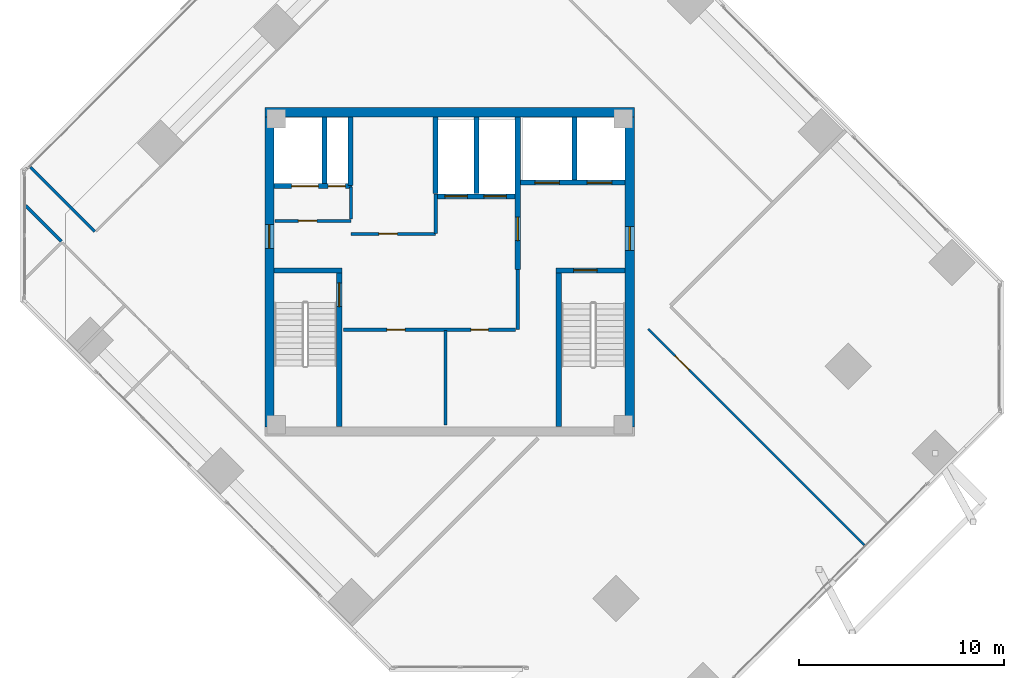
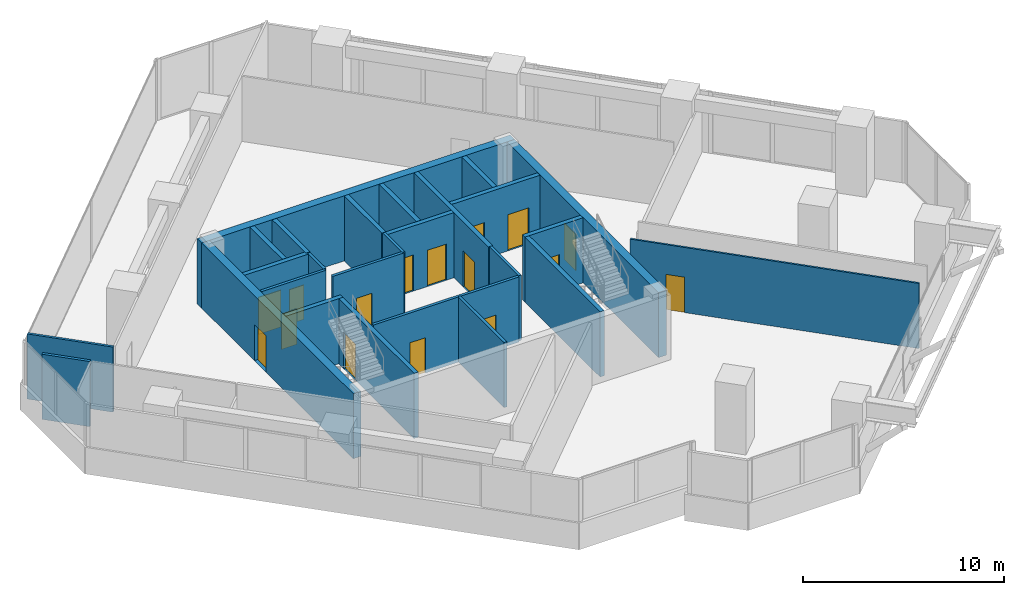
# One storey, part 13 of 17: 26 walls, 16 doors, 16 openings.
"""IFC4 building model written with IfcOpenShell, lengths in metres."""

from ifc_helpers import new_model, si_unit, direction, frame, frame_2d, origin, place, context, subcontext, project, spatial, rectangle, extrude, source, transform, mapped, material, layer, layer_set, type_object, element, fill, save


model = new_model("IFC4")

# Units and contexts
model_context = context("Model", 3, precision=1e-05, world=origin(), true_north=direction((0.0, 1.0)))
body_context = subcontext(model_context, "Body", "Model", "MODEL_VIEW")
ifc_project = project(units=[si_unit("LENGTHUNIT", "METRE"), si_unit("AREAUNIT", "SQUARE_METRE"), si_unit("VOLUMEUNIT", "CUBIC_METRE"), si_unit("PLANEANGLEUNIT", "RADIAN"), si_unit("MASSUNIT", "GRAM", prefix="KILO")], contexts=[model_context])

# Site, building, storey
site_placement = place(None, origin())
site = spatial("IfcSite", under=ifc_project, at=site_placement, CompositionType="ELEMENT")
building_placement = place(site_placement, origin())
building = spatial("IfcBuilding", under=site, at=building_placement, Name="Torre Montelarca", CompositionType="ELEMENT")
storey_placement = place(building_placement, frame((0.0, 0.0, 250.0)))
storey = spatial("IfcBuildingStorey", under=building, at=storey_placement, Name="L56", CompositionType="ELEMENT", Elevation=250.0)

# Wall, opening, door
ifc_material_1 = material(Name="Concrete C40/50", Category="concrete")
ifc_layer_1 = layer(ifc_material_1, 0.25, Name="Concrete C40/50", Category="concrete")
ifc_layer_set_1 = layer_set([ifc_layer_1], Name="Concrete C40/50")
wall_type_1 = type_object("IfcWallType", Name="CW-SHAFT-250", PredefinedType="SHEAR", material=ifc_layer_set_1)
wall_1_placement = place(storey_placement, frame((12.625, 24.4599609375, 0.0), z_axis=(0.0, 0.0, 1.0), x_axis=(0.0, 1.0, 0.0)))
wall_1 = element("IfcWall", 1, at=wall_1_placement, inside=storey, type_object=wall_type_1, Name="L56 Core Shear Wall SH-ST1-E", PredefinedType="SHEAR", context=body_context, shape_type="SweptSolid", body=[
    extrude(rectangle(XDim=7.489990234375, YDim=0.25, at=frame_2d((3.7451171875, 0.0))), origin(), (0.0, 0.0, 1.0), 3.9599609375),
])
opening_1_placement = place(wall_1_placement, frame((5.85009765625, 0.0, 0.0)))
opening_1 = element("IfcOpeningElement", 2, at=opening_1_placement, cuts=wall_1, Name="Opening FD-ST1", PredefinedType="OPENING", context=body_context, shape_type="SweptSolid", body=[
    extrude(rectangle(XDim=1.14990234375, YDim=2.199951171875, at=frame_2d((0.574951171875, 1.10009765625))), frame((0.0, 0.135009765625, 0.0), z_axis=(0.0, -1.0, 0.0), x_axis=(1.0, 0.0, 0.0)), (0.0, 0.0, 1.0), 0.27001953125),
])
ifc_material_2 = material(Name="Galvanized steel fire door", Category="steel")
door_type_1 = type_object("IfcDoorType", Name="DR-STAIR-115", OperationType="NOTDEFINED", PredefinedType="DOOR", material=ifc_material_2)
shared_shape_1 = source(origin(), body_context, "Body", "SweptSolid", [
    extrude(rectangle(XDim=1.14990234375, YDim=2.199951171875, at=frame_2d((0.574951171875, 1.10009765625))), frame((0.0, 0.02490234375, 0.0), z_axis=(0.0, -1.0, 0.0), x_axis=(1.0, 0.0, 0.0)), (0.0, 0.0, 1.0), 0.050048828125),
])
door_1_placement = place(opening_1_placement, origin())
door_1 = element("IfcDoor", 3, at=door_1_placement, inside=storey, type_object=door_type_1, Name="L56 Exit Stair ST1 Fire Door", OperationType="SINGLE_SWING_RIGHT", OverallHeight=2.199951171875, OverallWidth=1.14990234375, PredefinedType="DOOR", context=body_context, shape_type="MappedRepresentation", body=[
    mapped(shared_shape_1, transform((0.0, 0.0, 0.0), scale=1.0)),
])
fill(opening_1, door_1)

# Walls
wall_2_placement = place(storey_placement, frame((9.4599609375, 32.074951171875, 0.0), z_axis=(0.0, 0.0, 1.0), x_axis=(1.0, 0.0, 0.0)))
element("IfcWall", 4, at=wall_2_placement, inside=storey, type_object=wall_type_1, Name="L56 Core Shear Wall SH-ST1-N", PredefinedType="SHEAR", context=body_context, shape_type="SweptSolid", body=[
    extrude(rectangle(XDim=3.2900390625, YDim=0.25, at=frame_2d((1.64501953125, 0.0))), origin(), (0.0, 0.0, 1.0), 3.9599609375),
])
wall_3_placement = place(storey_placement, frame((23.31494140625, 24.4599609375, 0.0), z_axis=(0.0, 0.0, 1.0), x_axis=(0.0, 1.0, 0.0)))
element("IfcWall", 5, at=wall_3_placement, inside=storey, type_object=wall_type_1, Name="L56 Core Shear Wall SH-ST2-W", PredefinedType="SHEAR", context=body_context, shape_type="SweptSolid", body=[
    extrude(rectangle(XDim=7.489990234375, YDim=0.25, at=frame_2d((3.7451171875, 0.0))), origin(), (0.0, 0.0, 1.0), 3.9599609375),
])

# Wall, opening, door
wall_4_placement = place(storey_placement, frame((23.18994140625, 32.074951171875, 0.0), z_axis=(0.0, 0.0, 1.0), x_axis=(1.0, 0.0, 0.0)))
wall_4 = element("IfcWall", 6, at=wall_4_placement, inside=storey, type_object=wall_type_1, Name="L56 Core Shear Wall SH-ST2-N", PredefinedType="SHEAR", context=body_context, shape_type="SweptSolid", body=[
    extrude(rectangle(XDim=3.35009765625, YDim=0.25, at=frame_2d((1.675048828125, 0.0))), origin(), (0.0, 0.0, 1.0), 3.9599609375),
])
opening_2_placement = place(wall_4_placement, frame((0.85009765625, 0.0, 0.0)))
opening_2 = element("IfcOpeningElement", 7, at=opening_2_placement, cuts=wall_4, Name="Opening FD-ST1", PredefinedType="OPENING", context=body_context, shape_type="SweptSolid", body=[
    extrude(rectangle(XDim=1.14990234375, YDim=2.199951171875, at=frame_2d((0.574951171875, 1.10009765625))), frame((0.0, 0.135009765625, 0.0), z_axis=(0.0, -1.0, 0.0), x_axis=(1.0, 0.0, 0.0)), (0.0, 0.0, 1.0), 0.27001953125),
])
door_2_placement = place(opening_2_placement, origin())
door_2 = element("IfcDoor", 8, at=door_2_placement, inside=storey, type_object=door_type_1, Name="L56 Exit Stair ST2 Fire Door", OperationType="SINGLE_SWING_RIGHT", OverallHeight=2.199951171875, OverallWidth=1.14990234375, PredefinedType="DOOR", context=body_context, shape_type="MappedRepresentation", body=[
    mapped(shared_shape_1, transform((0.0, 0.0, 0.0), scale=1.0)),
])
fill(opening_2, door_2)

wall_5_placement = place(storey_placement, frame((21.320068359375, 32.1201171875, 0.0), z_axis=(0.0, 0.0, 1.0), x_axis=(0.0, 1.0, 0.0)))
wall_5 = element("IfcWall", 9, at=wall_5_placement, inside=storey, type_object=wall_type_1, Name="L56 Core Shear Wall SH-FFL-W", PredefinedType="SHEAR", context=body_context, shape_type="SweptSolid", body=[
    extrude(rectangle(XDim=7.419921875, YDim=0.25, at=frame_2d((3.7099609375, 0.0))), origin(), (0.0, 0.0, 1.0), 3.9599609375),
])
opening_3_placement = place(wall_5_placement, frame((1.39990234375, 0.0, 0.0)))
opening_3 = element("IfcOpeningElement", 10, at=opening_3_placement, cuts=wall_5, Name="Opening FD-LB1", PredefinedType="OPENING", context=body_context, shape_type="SweptSolid", body=[
    extrude(rectangle(XDim=1.14990234375, YDim=2.199951171875, at=frame_2d((0.574951171875, 1.10009765625))), frame((0.0, 0.135009765625, 0.0), z_axis=(0.0, -1.0, 0.0), x_axis=(1.0, 0.0, 0.0)), (0.0, 0.0, 1.0), 0.27001953125),
])
ifc_material_3 = material(Name="Acoustic timber-veneered fire door", Category="wood")
door_type_2 = type_object("IfcDoorType", Name="DR-LOBBY-115", OperationType="NOTDEFINED", PredefinedType="DOOR", material=ifc_material_3)
shared_shape_2 = source(origin(), body_context, "Body", "SweptSolid", [
    extrude(rectangle(XDim=1.14990234375, YDim=2.199951171875, at=frame_2d((0.574951171875, 1.10009765625))), frame((0.0, 0.02490234375, 0.0), z_axis=(0.0, -1.0, 0.0), x_axis=(1.0, 0.0, 0.0)), (0.0, 0.0, 1.0), 0.050048828125),
])
door_3_placement = place(opening_3_placement, origin())
door_3 = element("IfcDoor", 11, at=door_3_placement, inside=storey, type_object=door_type_2, Name="L56 Lift Lobby to Firefighting Lobby Smoke Door", OperationType="SINGLE_SWING_LEFT", OverallHeight=2.199951171875, OverallWidth=1.14990234375, PredefinedType="DOOR", context=body_context, shape_type="MappedRepresentation", body=[
    mapped(shared_shape_2, transform((0.0, 0.0, 0.0), scale=1.0)),
])
fill(opening_3, door_3)

# Wall, openings, doors
wall_6_placement = place(storey_placement, frame((9.4599609375, 36.179931640625, 0.0), z_axis=(0.0, 0.0, 1.0), x_axis=(1.0, 0.0, 0.0)))
wall_6 = element("IfcWall", 12, at=wall_6_placement, inside=storey, type_object=wall_type_1, Name="L56 Core Shear Wall SH-SV1-S", PredefinedType="SHEAR", context=body_context, shape_type="SweptSolid", body=[
    extrude(rectangle(XDim=3.7900390625, YDim=0.25, at=frame_2d((1.89501953125, 0.0))), origin(), (0.0, 0.0, 1.0), 3.9599609375),
])
opening_4_placement = place(wall_6_placement, frame((2.6201171875, 0.0, 0.0)))
opening_4 = element("IfcOpeningElement", 13, at=opening_4_placement, cuts=wall_6, Name="Opening FD-085", PredefinedType="OPENING", context=body_context, shape_type="SweptSolid", body=[
    extrude(rectangle(XDim=0.85009765625, YDim=2.10009765625, at=frame_2d((0.425048828125, 1.050048828125))), frame((0.0, 0.135009765625, 0.0), z_axis=(0.0, -1.0, 0.0), x_axis=(1.0, 0.0, 0.0)), (0.0, 0.0, 1.0), 0.27001953125),
])
opening_5_placement = place(wall_6_placement, frame((0.85009765625, 0.0, 0.0)))
opening_5 = element("IfcOpeningElement", 14, at=opening_5_placement, cuts=wall_6, Name="Opening LD-130", PredefinedType="OPENING", context=body_context, shape_type="SweptSolid", body=[
    extrude(rectangle(XDim=1.300048828125, YDim=2.25, at=frame_2d((0.64990234375, 1.125))), frame((0.0, 0.135009765625, 0.0), z_axis=(0.0, -1.0, 0.0), x_axis=(1.0, 0.0, 0.0)), (0.0, 0.0, 1.0), 0.27001953125),
])
ifc_material_4 = material(Name="Steel riser access fire door", Category="steel")
door_type_3 = type_object("IfcDoorType", Name="DR-RISER-085", OperationType="NOTDEFINED", PredefinedType="DOOR", material=ifc_material_4)
shared_shape_3 = source(origin(), body_context, "Body", "SweptSolid", [
    extrude(rectangle(XDim=0.85009765625, YDim=2.10009765625, at=frame_2d((0.425048828125, 1.050048828125))), frame((0.0, 0.02490234375, 0.0), z_axis=(0.0, -1.0, 0.0), x_axis=(1.0, 0.0, 0.0)), (0.0, 0.0, 1.0), 0.050048828125),
])
door_4_placement = place(opening_4_placement, origin())
door_4 = element("IfcDoor", 15, at=door_4_placement, inside=storey, type_object=door_type_3, Name="L56 Electrical Riser Shaft Access Door", OperationType="SINGLE_SWING_RIGHT", OverallHeight=2.10009765625, OverallWidth=0.85009765625, PredefinedType="DOOR", context=body_context, shape_type="MappedRepresentation", body=[
    mapped(shared_shape_3, transform((0.0, 0.0, 0.0), scale=1.0)),
])
fill(opening_4, door_4)
ifc_material_5 = material(Name="Brushed stainless steel AISI 316", Category="steel")
door_type_4 = type_object("IfcDoorType", Name="DR-LIFT-130", OperationType="SLIDING_TO_LEFT", PredefinedType="DOOR", material=ifc_material_5)
shared_shape_4 = source(origin(), body_context, "Body", "SweptSolid", [
    extrude(rectangle(XDim=1.300048828125, YDim=2.25, at=frame_2d((0.64990234375, 1.125))), frame((0.0, 0.02490234375, 0.0), z_axis=(0.0, -1.0, 0.0), x_axis=(1.0, 0.0, 0.0)), (0.0, 0.0, 1.0), 0.050048828125),
])
door_5_placement = place(opening_5_placement, origin())
door_5 = element("IfcDoor", 16, at=door_5_placement, inside=storey, type_object=door_type_4, Name="L56 Lift Landing Sliding Door SV-1", OperationType="SLIDING_TO_LEFT", OverallHeight=2.25, OverallWidth=1.300048828125, PredefinedType="DOOR", context=body_context, shape_type="MappedRepresentation", body=[
    mapped(shared_shape_4, transform((0.0, 0.0, 0.0), scale=1.0)),
])
fill(opening_5, door_5)

# Wall
wall_7_placement = place(storey_placement, frame((11.89990234375, 36.31005859375, 0.0), z_axis=(0.0, 0.0, 1.0), x_axis=(0.0, 1.0, 0.0)))
element("IfcWall", 17, at=wall_7_placement, inside=storey, type_object=wall_type_1, Name="L56 Core Shear Wall SH-SV1-E", PredefinedType="SHEAR", context=body_context, shape_type="SweptSolid", body=[
    extrude(rectangle(XDim=3.22998046875, YDim=0.25, at=frame_2d((1.614990234375, 0.0))), origin(), (0.0, 0.0, 1.0), 3.9599609375),
])

# Wall, openings, doors
wall_8_placement = place(storey_placement, frame((21.449951171875, 36.35009765625, 0.0), z_axis=(0.0, 0.0, 1.0), x_axis=(1.0, 0.0, 0.0)))
wall_8 = element("IfcWall", 18, at=wall_8_placement, inside=storey, type_object=wall_type_1, Name="L56 Core Shear Wall SH-FF-S", PredefinedType="SHEAR", context=body_context, shape_type="SweptSolid", body=[
    extrude(rectangle(XDim=5.090087890625, YDim=0.25, at=frame_2d((2.544921875, 0.0))), origin(), (0.0, 0.0, 1.0), 3.9599609375),
])
opening_6_placement = place(wall_8_placement, frame((0.699951171875, 0.0, 0.0)))
opening_6 = element("IfcOpeningElement", 19, at=opening_6_placement, cuts=wall_8, Name="Opening LD-120", PredefinedType="OPENING", context=body_context, shape_type="SweptSolid", body=[
    extrude(rectangle(XDim=1.199951171875, YDim=2.199951171875, at=frame_2d((0.60009765625, 1.10009765625))), frame((0.0, 0.135009765625, 0.0), z_axis=(0.0, -1.0, 0.0), x_axis=(1.0, 0.0, 0.0)), (0.0, 0.0, 1.0), 0.27001953125),
])
opening_7_placement = place(wall_8_placement, frame((3.25, 0.0, 0.0)))
opening_7 = element("IfcOpeningElement", 20, at=opening_7_placement, cuts=wall_8, Name="Opening LD-120", PredefinedType="OPENING", context=body_context, shape_type="SweptSolid", body=[
    extrude(rectangle(XDim=1.199951171875, YDim=2.199951171875, at=frame_2d((0.60009765625, 1.10009765625))), frame((0.0, 0.135009765625, 0.0), z_axis=(0.0, -1.0, 0.0), x_axis=(1.0, 0.0, 0.0)), (0.0, 0.0, 1.0), 0.27001953125),
])
door_type_5 = type_object("IfcDoorType", Name="DR-LIFT-120", OperationType="SLIDING_TO_RIGHT", PredefinedType="DOOR", material=ifc_material_5)
shared_shape_5 = source(origin(), body_context, "Body", "SweptSolid", [
    extrude(rectangle(XDim=1.199951171875, YDim=2.199951171875, at=frame_2d((0.60009765625, 1.10009765625))), frame((0.0, 0.02490234375, 0.0), z_axis=(0.0, -1.0, 0.0), x_axis=(1.0, 0.0, 0.0)), (0.0, 0.0, 1.0), 0.050048828125),
])
door_6_placement = place(opening_6_placement, origin())
door_6 = element("IfcDoor", 21, at=door_6_placement, inside=storey, type_object=door_type_5, Name="L56 Lift Landing Sliding Door FF-1", OperationType="SLIDING_TO_LEFT", OverallHeight=2.199951171875, OverallWidth=1.199951171875, PredefinedType="DOOR", context=body_context, shape_type="MappedRepresentation", body=[
    mapped(shared_shape_5, transform((0.0, 0.0, 0.0), scale=1.0)),
])
fill(opening_6, door_6)
door_7_placement = place(opening_7_placement, origin())
door_7 = element("IfcDoor", 22, at=door_7_placement, inside=storey, type_object=door_type_5, Name="L56 Lift Landing Sliding Door FF-2", OperationType="SLIDING_TO_RIGHT", OverallHeight=2.199951171875, OverallWidth=1.199951171875, PredefinedType="DOOR", context=body_context, shape_type="MappedRepresentation", body=[
    mapped(shared_shape_5, transform((0.0, 0.0, 0.0), scale=1.0)),
])
fill(opening_7, door_7)

# Walls
wall_9_placement = place(storey_placement, frame((24.080078125, 36.47998046875, 0.0), z_axis=(0.0, 0.0, 1.0), x_axis=(0.0, 1.0, 0.0)))
element("IfcWall", 23, at=wall_9_placement, inside=storey, type_object=wall_type_1, Name="L56 Core Shear Wall SH-FF-M", PredefinedType="SHEAR", context=body_context, shape_type="SweptSolid", body=[
    extrude(rectangle(XDim=3.06005859375, YDim=0.25, at=frame_2d((1.530029296875, 0.0))), origin(), (0.0, 0.0, 1.0), 3.9599609375),
])
wall_10_placement = place(storey_placement, frame((13.179931640625, 36.199951171875, 0.0), z_axis=(0.0, 0.0, 1.0), x_axis=(0.0, 1.0, 0.0)))
element("IfcWall", 24, at=wall_10_placement, inside=storey, type_object=wall_type_1, Name="L56 Core Shear Wall SH-RSR1-E", PredefinedType="SHEAR", context=body_context, shape_type="SweptSolid", body=[
    extrude(rectangle(XDim=3.340087890625, YDim=0.25, at=frame_2d((1.669921875, 0.0))), origin(), (0.0, 0.0, 1.0), 3.9599609375),
])

# Wall, openings, doors
wall_11_placement = place(storey_placement, frame((17.320068359375, 35.679931640625, 0.0), z_axis=(0.0, 0.0, 1.0), x_axis=(1.0, 0.0, 0.0)))
wall_11 = element("IfcWall", 25, at=wall_11_placement, inside=storey, type_object=wall_type_1, Name="L56 Core Shear Wall SH-PLH-S", PredefinedType="SHEAR", context=body_context, shape_type="SweptSolid", body=[
    extrude(rectangle(XDim=3.869873046875, YDim=0.25, at=frame_2d((1.93505859375, 0.0))), origin(), (0.0, 0.0, 1.0), 3.9599609375),
])
opening_8_placement = place(wall_11_placement, frame((0.449951171875, 0.0, 0.0)))
opening_8 = element("IfcOpeningElement", 26, at=opening_8_placement, cuts=wall_11, Name="Opening LD-110", PredefinedType="OPENING", context=body_context, shape_type="SweptSolid", body=[
    extrude(rectangle(XDim=1.10009765625, YDim=2.199951171875, at=frame_2d((0.550048828125, 1.10009765625))), frame((0.0, 0.135009765625, 0.0), z_axis=(0.0, -1.0, 0.0), x_axis=(1.0, 0.0, 0.0)), (0.0, 0.0, 1.0), 0.27001953125),
])
opening_9_placement = place(wall_11_placement, frame((2.35009765625, 0.0, 0.0)))
opening_9 = element("IfcOpeningElement", 27, at=opening_9_placement, cuts=wall_11, Name="Opening LD-110", PredefinedType="OPENING", context=body_context, shape_type="SweptSolid", body=[
    extrude(rectangle(XDim=1.10009765625, YDim=2.199951171875, at=frame_2d((0.550048828125, 1.10009765625))), frame((0.0, 0.135009765625, 0.0), z_axis=(0.0, -1.0, 0.0), x_axis=(1.0, 0.0, 0.0)), (0.0, 0.0, 1.0), 0.27001953125),
])
door_type_6 = type_object("IfcDoorType", Name="DR-LIFT-110", OperationType="SLIDING_TO_LEFT", PredefinedType="DOOR", material=ifc_material_5)
shared_shape_6 = source(origin(), body_context, "Body", "SweptSolid", [
    extrude(rectangle(XDim=1.10009765625, YDim=2.199951171875, at=frame_2d((0.550048828125, 1.10009765625))), frame((0.0, 0.02490234375, 0.0), z_axis=(0.0, -1.0, 0.0), x_axis=(1.0, 0.0, 0.0)), (0.0, 0.0, 1.0), 0.050048828125),
])
door_8_placement = place(opening_8_placement, origin())
door_8 = element("IfcDoor", 28, at=door_8_placement, inside=storey, type_object=door_type_6, Name="L56 Lift Landing Sliding Door PL-H1", OperationType="SLIDING_TO_LEFT", OverallHeight=2.199951171875, OverallWidth=1.10009765625, PredefinedType="DOOR", context=body_context, shape_type="MappedRepresentation", body=[
    mapped(shared_shape_6, transform((0.0, 0.0, 0.0), scale=1.0)),
])
fill(opening_8, door_8)
door_9_placement = place(opening_9_placement, origin())
door_9 = element("IfcDoor", 29, at=door_9_placement, inside=storey, type_object=door_type_6, Name="L56 Lift Landing Sliding Door PL-H2", OperationType="SLIDING_TO_RIGHT", OverallHeight=2.199951171875, OverallWidth=1.10009765625, PredefinedType="DOOR", context=body_context, shape_type="MappedRepresentation", body=[
    mapped(shared_shape_6, transform((0.0, 0.0, 0.0), scale=1.0)),
])
fill(opening_9, door_9)

# Walls
for number, where, z_axis, x_axis, name in (
    (30, (17.320068359375, 35.81005859375, 0.0), (0.0, 0.0, 1.0), (0.0, 1.0, 0.0), "L56 Core Shear Wall SH-PLH-W"),
    (31, (19.320068359375, 35.81005859375, 0.0), (0.0, 0.0, 1.0), (0.0, 1.0, 0.0), "L56 Core Shear Wall SH-PLH-M"),
):
    element("IfcWall", number, at=place(storey_placement, frame(where, z_axis=z_axis, x_axis=x_axis)), inside=storey, type_object=wall_type_1, Name=name, PredefinedType="SHEAR", context=body_context, shape_type="SweptSolid", body=[
        extrude(rectangle(XDim=3.72998046875, YDim=0.25, at=frame_2d((1.864990234375, 0.0))), origin(), (0.0, 0.0, 1.0), 3.9599609375),
    ])

# Wall, opening, door
ifc_material_6 = material(Name="Concrete C55/67", Category="concrete")
ifc_layer_2 = layer(ifc_material_6, 0.449951171875, Name="Concrete C55/67", Category="concrete")
ifc_layer_set_2 = layer_set([ifc_layer_2], Name="Concrete C55/67")
wall_type_2 = type_object("IfcWallType", Name="CW-SHEAR-450", PredefinedType="SHEAR", material=ifc_layer_set_2)
wall_12_placement = place(storey_placement, frame((9.22509765625, 24.449951171875, 0.0), z_axis=(0.0, 0.0, 1.0), x_axis=(0.0, 1.0, 0.0)))
wall_12 = element("IfcWall", 32, at=wall_12_placement, inside=storey, type_object=wall_type_2, Name="L56 Core Shear Wall CW-W", PredefinedType="SHEAR", context=body_context, shape_type="SweptSolid", body=[
    extrude(rectangle(XDim=15.10009765625, YDim=0.449951171875, at=frame_2d((7.550048828125, 0.0))), origin(), (0.0, 0.0, 1.0), 3.9599609375),
])
opening_10_placement = place(wall_12_placement, frame((8.699951171875, 0.0, 0.0)))
opening_10 = element("IfcOpeningElement", 33, at=opening_10_placement, cuts=wall_12, Name="Opening FD-LB1", PredefinedType="OPENING", context=body_context, shape_type="SweptSolid", body=[
    extrude(rectangle(XDim=1.14990234375, YDim=2.199951171875, at=frame_2d((0.574951171875, 1.10009765625))), frame((0.0, 0.23486328125, 0.0), z_axis=(0.0, -1.0, 0.0), x_axis=(1.0, 0.0, 0.0)), (0.0, 0.0, 1.0), 0.469970703125),
])
door_10_placement = place(opening_10_placement, origin())
door_10 = element("IfcDoor", 34, at=door_10_placement, inside=storey, type_object=door_type_2, Name="L56 Passenger Lift Lobby West Corridor Fire Door", OperationType="SINGLE_SWING_RIGHT", OverallHeight=2.199951171875, OverallWidth=1.14990234375, PredefinedType="DOOR", context=body_context, shape_type="MappedRepresentation", body=[
    mapped(shared_shape_2, transform((0.0, 0.0, 0.0), scale=1.0)),
])
fill(opening_10, door_10)

wall_13_placement = place(storey_placement, frame((26.77490234375, 24.449951171875, 0.0), z_axis=(0.0, 0.0, 1.0), x_axis=(0.0, 1.0, 0.0)))
wall_13 = element("IfcWall", 35, at=wall_13_placement, inside=storey, type_object=wall_type_2, Name="L56 Core Shear Wall CW-E", PredefinedType="SHEAR", context=body_context, shape_type="SweptSolid", body=[
    extrude(rectangle(XDim=15.10009765625, YDim=0.449951171875, at=frame_2d((7.550048828125, 0.0))), origin(), (0.0, 0.0, 1.0), 3.9599609375),
])
opening_11_placement = place(wall_13_placement, frame((8.60009765625, 0.0, 0.0)))
opening_11 = element("IfcOpeningElement", 36, at=opening_11_placement, cuts=wall_13, Name="Opening FD-LB1", PredefinedType="OPENING", context=body_context, shape_type="SweptSolid", body=[
    extrude(rectangle(XDim=1.14990234375, YDim=2.199951171875, at=frame_2d((0.574951171875, 1.10009765625))), frame((0.0, 0.23486328125, 0.0), z_axis=(0.0, -1.0, 0.0), x_axis=(1.0, 0.0, 0.0)), (0.0, 0.0, 1.0), 0.469970703125),
])
door_11_placement = place(opening_11_placement, origin())
door_11 = element("IfcDoor", 37, at=door_11_placement, inside=storey, type_object=door_type_2, Name="L56 Firefighting Lift Lobby Corridor Fire Door", OperationType="SINGLE_SWING_RIGHT", OverallHeight=2.199951171875, OverallWidth=1.14990234375, PredefinedType="DOOR", context=body_context, shape_type="MappedRepresentation", body=[
    mapped(shared_shape_2, transform((0.0, 0.0, 0.0), scale=1.0)),
])
fill(opening_11, door_11)

# Wall
wall_14_placement = place(storey_placement, frame((9.0, 39.77490234375, 0.0), z_axis=(0.0, 0.0, 1.0), x_axis=(1.0, 0.0, 0.0)))
element("IfcWall", 38, at=wall_14_placement, inside=storey, type_object=wall_type_2, Name="L56 Core Shear Wall CW-N1", PredefinedType="SHEAR", context=body_context, shape_type="SweptSolid", body=[
    extrude(rectangle(XDim=18.0, YDim=0.449951171875, at=frame_2d((9.0, 0.0))), origin(), (0.0, 0.0, 1.0), 3.9599609375),
])

# Wall, opening, door
ifc_material_7 = material(Name="Gypsum plasterboard on steel stud", Category="steel")
ifc_layer_3 = layer(ifc_material_7, 0.159912109375, Name="Gypsum plasterboard on steel stud", Category="steel")
ifc_layer_set_3 = layer_set([ifc_layer_3], Name="Gypsum plasterboard on steel stud")
wall_type_3 = type_object("IfcWallType", Name="PW-FIRE-160", PredefinedType="PARTITIONING", material=ifc_layer_set_3)
wall_15_placement = place(storey_placement, frame((9.489990234375, 34.47998046875, 0.0), z_axis=(0.0, 0.0, 1.0), x_axis=(1.0, 0.0, 0.0)))
wall_15 = element("IfcWall", 39, at=wall_15_placement, inside=storey, type_object=wall_type_3, Name="L56 Interior Partition CW-L56-SVS", PredefinedType="PARTITIONING", context=body_context, shape_type="SweptSolid", body=[
    extrude(rectangle(XDim=3.699951171875, YDim=0.159912109375, at=frame_2d((1.85009765625, 0.0))), origin(), (0.0, 0.0, 1.0), 3.9599609375),
])
opening_12_placement = place(wall_15_placement, frame((1.14990234375, 0.0, 0.0)))
opening_12 = element("IfcOpeningElement", 40, at=opening_12_placement, cuts=wall_15, Name="Opening FD-090", PredefinedType="OPENING", context=body_context, shape_type="SweptSolid", body=[
    extrude(rectangle(XDim=0.89990234375, YDim=2.14990234375, at=frame_2d((0.449951171875, 1.074951171875))), frame((0.0, 0.08984375, 0.0), z_axis=(0.0, -1.0, 0.0), x_axis=(1.0, 0.0, 0.0)), (0.0, 0.0, 1.0), 0.179931640625),
])
ifc_material_8 = material(Name="Steel service fire door", Category="steel")
door_type_7 = type_object("IfcDoorType", Name="DR-FIRE-090", OperationType="NOTDEFINED", PredefinedType="DOOR", material=ifc_material_8)
shared_shape_7 = source(origin(), body_context, "Body", "SweptSolid", [
    extrude(rectangle(XDim=0.89990234375, YDim=2.14990234375, at=frame_2d((0.449951171875, 1.074951171875))), frame((0.0, 0.02490234375, 0.0), z_axis=(0.0, -1.0, 0.0), x_axis=(1.0, 0.0, 0.0)), (0.0, 0.0, 1.0), 0.050048828125),
])
door_12_placement = place(opening_12_placement, origin())
door_12 = element("IfcDoor", 41, at=door_12_placement, inside=storey, type_object=door_type_7, Name="L56 Interior Door 01", OperationType="SINGLE_SWING_RIGHT", OverallHeight=2.14990234375, OverallWidth=0.89990234375, PredefinedType="DOOR", context=body_context, shape_type="MappedRepresentation", body=[
    mapped(shared_shape_7, transform((0.0, 0.0, 0.0), scale=1.0)),
])
fill(opening_12, door_12)

# Wall
wall_16_placement = place(storey_placement, frame((13.199951171875, 34.570068359375, 0.0), z_axis=(0.0, 0.0, 1.0), x_axis=(0.0, 1.0, 0.0)))
element("IfcWall", 42, at=wall_16_placement, inside=storey, type_object=wall_type_3, Name="L56 Interior Partition CW-L56-SVE", PredefinedType="PARTITIONING", context=body_context, shape_type="SweptSolid", body=[
    extrude(rectangle(XDim=1.56982421875, YDim=0.159912109375, at=frame_2d((0.784912109375, 0.0))), origin(), (0.0, 0.0, 1.0), 3.9599609375),
])

# Wall, opening, door
wall_17_placement = place(storey_placement, frame((13.2099609375, 33.85009765625, 0.0), z_axis=(0.0, 0.0, 1.0), x_axis=(1.0, 0.0, 0.0)))
wall_17 = element("IfcWall", 43, at=wall_17_placement, inside=storey, type_object=wall_type_3, Name="L56 Interior Partition CW-L56-FRMS", PredefinedType="PARTITIONING", context=body_context, shape_type="SweptSolid", body=[
    extrude(rectangle(XDim=4.10009765625, YDim=0.159912109375, at=frame_2d((2.050048828125, 0.0))), origin(), (0.0, 0.0, 1.0), 3.9599609375),
])
opening_13_placement = place(wall_17_placement, frame((1.35009765625, 0.0, 0.0)))
opening_13 = element("IfcOpeningElement", 44, at=opening_13_placement, cuts=wall_17, Name="Opening FD-090", PredefinedType="OPENING", context=body_context, shape_type="SweptSolid", body=[
    extrude(rectangle(XDim=0.89990234375, YDim=2.14990234375, at=frame_2d((0.449951171875, 1.074951171875))), frame((0.0, 0.08984375, 0.0), z_axis=(0.0, -1.0, 0.0), x_axis=(1.0, 0.0, 0.0)), (0.0, 0.0, 1.0), 0.179931640625),
])
door_13_placement = place(opening_13_placement, origin())
door_13 = element("IfcDoor", 45, at=door_13_placement, inside=storey, type_object=door_type_7, Name="L56 Interior Door 02", OperationType="SINGLE_SWING_LEFT", OverallHeight=2.14990234375, OverallWidth=0.89990234375, PredefinedType="DOOR", context=body_context, shape_type="MappedRepresentation", body=[
    mapped(shared_shape_7, transform((0.0, 0.0, 0.0), scale=1.0)),
])
fill(opening_13, door_13)

# Wall
wall_18_placement = place(storey_placement, frame((17.320068359375, 33.860107421875, 0.0), z_axis=(0.0, 0.0, 1.0), x_axis=(0.0, 1.0, 0.0)))
element("IfcWall", 46, at=wall_18_placement, inside=storey, type_object=wall_type_3, Name="L56 Interior Partition CW-L56-FRME", PredefinedType="PARTITIONING", context=body_context, shape_type="SweptSolid", body=[
    extrude(rectangle(XDim=1.929931640625, YDim=0.159912109375, at=frame_2d((0.96484375, 0.0))), origin(), (0.0, 0.0, 1.0), 3.9599609375),
])

# Wall, openings, doors
wall_19_placement = place(storey_placement, frame((12.840087890625, 29.179931640625, 0.0), z_axis=(0.0, 0.0, 1.0), x_axis=(1.0, 0.0, 0.0)))
wall_19 = element("IfcWall", 47, at=wall_19_placement, inside=storey, type_object=wall_type_3, Name="L56 Interior Partition CW-L56-FRDN", PredefinedType="PARTITIONING", context=body_context, shape_type="SweptSolid", body=[
    extrude(rectangle(XDim=8.369873046875, YDim=0.159912109375, at=frame_2d((4.18505859375, 0.0))), origin(), (0.0, 0.0, 1.0), 3.9599609375),
])
opening_14_placement = place(wall_19_placement, frame((2.10009765625, 0.0, 0.0)))
opening_14 = element("IfcOpeningElement", 48, at=opening_14_placement, cuts=wall_19, Name="Opening FD-090", PredefinedType="OPENING", context=body_context, shape_type="SweptSolid", body=[
    extrude(rectangle(XDim=0.89990234375, YDim=2.14990234375, at=frame_2d((0.449951171875, 1.074951171875))), frame((0.0, 0.08984375, 0.0), z_axis=(0.0, -1.0, 0.0), x_axis=(1.0, 0.0, 0.0)), (0.0, 0.0, 1.0), 0.179931640625),
])
opening_15_placement = place(wall_19_placement, frame((6.199951171875, 0.0, 0.0)))
opening_15 = element("IfcOpeningElement", 49, at=opening_15_placement, cuts=wall_19, Name="Opening FD-085", PredefinedType="OPENING", context=body_context, shape_type="SweptSolid", body=[
    extrude(rectangle(XDim=0.85009765625, YDim=2.10009765625, at=frame_2d((0.425048828125, 1.050048828125))), frame((0.0, 0.08984375, 0.0), z_axis=(0.0, -1.0, 0.0), x_axis=(1.0, 0.0, 0.0)), (0.0, 0.0, 1.0), 0.179931640625),
])
door_14_placement = place(opening_15_placement, origin())
door_14 = element("IfcDoor", 50, at=door_14_placement, inside=storey, type_object=door_type_3, Name="L56 Interior Door 04", OperationType="SINGLE_SWING_LEFT", OverallHeight=2.10009765625, OverallWidth=0.85009765625, PredefinedType="DOOR", context=body_context, shape_type="MappedRepresentation", body=[
    mapped(shared_shape_3, transform((0.0, 0.0, 0.0), scale=1.0)),
])
fill(opening_15, door_14)
door_15_placement = place(opening_14_placement, origin())
door_15 = element("IfcDoor", 51, at=door_15_placement, inside=storey, type_object=door_type_7, Name="L56 Interior Door 03", OperationType="SINGLE_SWING_RIGHT", OverallHeight=2.14990234375, OverallWidth=0.89990234375, PredefinedType="DOOR", context=body_context, shape_type="MappedRepresentation", body=[
    mapped(shared_shape_7, transform((0.0, 0.0, 0.0), scale=1.0)),
])
fill(opening_14, door_15)

# Walls
wall_20_placement = place(storey_placement, frame((17.800048828125, 24.5400390625, 0.0), z_axis=(0.0, 0.0, 1.0), x_axis=(0.0, 1.0, 0.0)))
element("IfcWall", 52, at=wall_20_placement, inside=storey, type_object=wall_type_3, Name="L56 Interior Partition CW-L56-FRD1", PredefinedType="PARTITIONING", context=body_context, shape_type="SweptSolid", body=[
    extrude(rectangle(XDim=4.599853515625, YDim=0.159912109375, at=frame_2d((2.2998046875, 0.0))), origin(), (0.0, 0.0, 1.0), 3.9599609375),
])
wall_21_placement = place(storey_placement, frame((21.320068359375, 29.18994140625, 0.0), z_axis=(0.0, 0.0, 1.0), x_axis=(0.0, 1.0, 0.0)))
element("IfcWall", 53, at=wall_21_placement, inside=storey, type_object=wall_type_3, Name="L56 Interior Partition CW-L56-FRE", PredefinedType="PARTITIONING", context=body_context, shape_type="SweptSolid", body=[
    extrude(rectangle(XDim=2.920166015625, YDim=0.159912109375, at=frame_2d((1.4599609375, 0.0))), origin(), (0.0, 0.0, 1.0), 3.9599609375),
])
wall_22_placement = place(storey_placement, frame((-2.65625, 35.225830078125, 0.0), z_axis=(0.0, 0.0, 1.0), x_axis=(0.707106781187, -0.707106781187, 0.0)))
element("IfcWall", 54, at=wall_22_placement, inside=storey, type_object=wall_type_3, Name="L56 Interior Partition W-L56-SOCCW", PredefinedType="PARTITIONING", context=body_context, shape_type="SweptSolid", body=[
    extrude(rectangle(XDim=2.47216796875, YDim=0.159912109375, at=frame_2d((1.236083984375, 0.0))), origin(), (0.0, 0.0, 1.0), 3.9599609375),
])

# Wall, opening, door
ifc_material_9 = material(Name="Acoustic laminated glass partition", Category="glass")
ifc_layer_4 = layer(ifc_material_9, 0.10009765625, Name="Acoustic laminated glass partition", Category="glass")
ifc_layer_set_4 = layer_set([ifc_layer_4], Name="Acoustic laminated glass partition")
wall_type_4 = type_object("IfcWallType", Name="PW-GLAZ-100", PredefinedType="PARTITIONING", material=ifc_layer_set_4)
wall_23_placement = place(storey_placement, frame((27.68017578125, 29.214111328125, 0.0), z_axis=(0.0, 0.0, 1.0), x_axis=(0.707106781187, -0.707106781187, 0.0)))
wall_23 = element("IfcWall", 55, at=wall_23_placement, inside=storey, type_object=wall_type_4, Name="L56 Interior Partition W-L56-SE-N", PredefinedType="PARTITIONING", context=body_context, shape_type="SweptSolid", body=[
    extrude(rectangle(XDim=14.8798828125, YDim=0.10009765625, at=frame_2d((7.43994140625, 0.0))), origin(), (0.0, 0.0, 1.0), 3.9599609375),
])
opening_16_placement = place(wall_23_placement, frame((1.85009765625, 0.0, 0.0)))
opening_16 = element("IfcOpeningElement", 56, at=opening_16_placement, cuts=wall_23, Name="Opening ID-095", PredefinedType="OPENING", context=body_context, shape_type="SweptSolid", body=[
    extrude(rectangle(XDim=0.949951171875, YDim=2.14990234375, at=frame_2d((0.47509765625, 1.074951171875))), frame((0.0, 0.06005859375, 0.0), z_axis=(0.0, -1.0, 0.0), x_axis=(1.0, 0.0, 0.0)), (0.0, 0.0, 1.0), 0.1201171875),
])
ifc_material_10 = material(Name="Hardwood acoustic timber veneer", Category="wood")
door_type_8 = type_object("IfcDoorType", Name="DR-INT-095", OperationType="NOTDEFINED", PredefinedType="DOOR", material=ifc_material_10)
shared_shape_8 = source(origin(), body_context, "Body", "SweptSolid", [
    extrude(rectangle(XDim=0.949951171875, YDim=2.14990234375, at=frame_2d((0.47509765625, 1.074951171875))), frame((0.0, 0.02490234375, 0.0), z_axis=(0.0, -1.0, 0.0), x_axis=(1.0, 0.0, 0.0)), (0.0, 0.0, 1.0), 0.050048828125),
])
door_16_placement = place(opening_16_placement, origin())
door_16 = element("IfcDoor", 57, at=door_16_placement, inside=storey, type_object=door_type_8, Name="L56 Interior Door 11", OperationType="SINGLE_SWING_LEFT", OverallHeight=2.14990234375, OverallWidth=0.949951171875, PredefinedType="DOOR", context=body_context, shape_type="MappedRepresentation", body=[
    mapped(shared_shape_8, transform((0.0, 0.0, 0.0), scale=1.0)),
])
fill(opening_16, door_16)

# Wall
ifc_layer_5 = layer(ifc_material_7, 0.135009765625, Name="Gypsum plasterboard on steel stud", Category="steel")
ifc_layer_set_5 = layer_set([ifc_layer_5], Name="Gypsum plasterboard on steel stud")
wall_type_5 = type_object("IfcWallType", Name="PW-PART-135", PredefinedType="PARTITIONING", material=ifc_layer_set_5)
wall_24_placement = place(storey_placement, frame((-2.414306640625, 37.105224609375, 0.0), z_axis=(0.0, 0.0, 1.0), x_axis=(0.707106781187, -0.707106781187, 0.0)))
element("IfcWall", 58, at=wall_24_placement, inside=storey, type_object=wall_type_5, Name="L56 Interior Partition W-L56-WWGS", PredefinedType="PARTITIONING", context=body_context, shape_type="SweptSolid", body=[
    extrude(rectangle(XDim=4.4296875, YDim=0.135009765625, at=frame_2d((2.21484375, 0.0))), origin(), (0.0, 0.0, 1.0), 3.9599609375),
])

save(model, "model.ifc")
